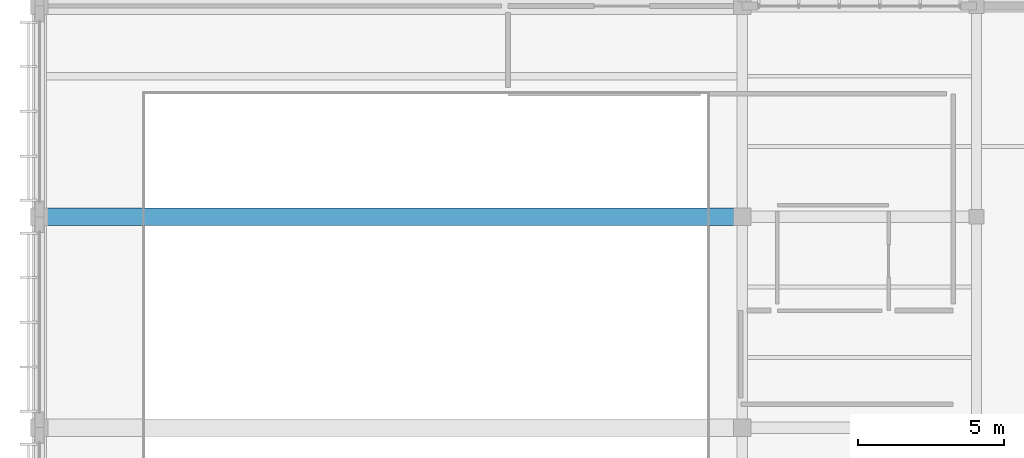
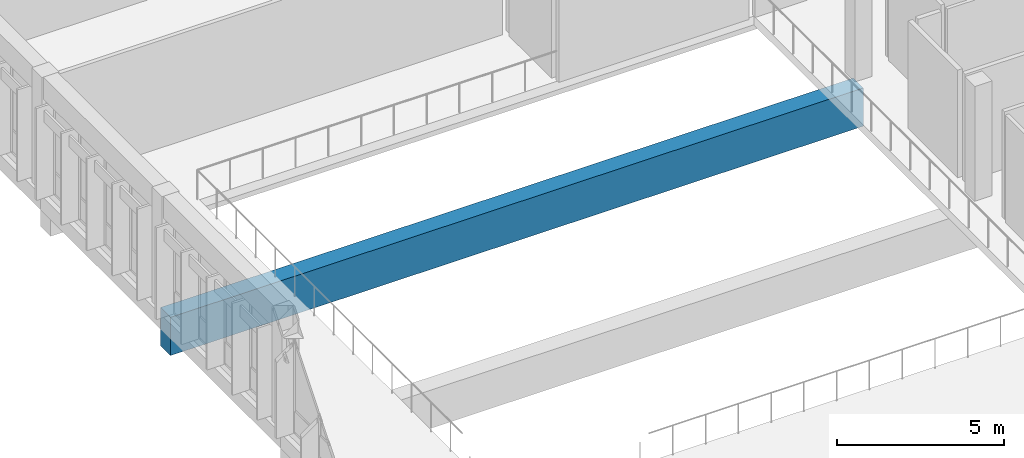
# One storey, part 20 of 182: 1 beam.
"""IFC4 building model written with IfcOpenShell, lengths in metres."""

import ifcopenshell
import ifcopenshell.guid

model = None  # the IFC model being written
_history = None  # IfcOwnerHistory: only IFC2X3 demands one
_inside = {}  # id of a spatial element -> (the spatial element, [elements in it])
_under = {}  # id of a project, library or spatial element -> (it, [spatial elements below it])
_declared = {}  # id of a project -> (the project, [libraries it declares])
_typed = {}  # id of a type object -> (the type object, [elements of that type])
_made_of = {}  # id of a material, layer set ... -> (it, [elements and type objects made of it])


def new_model(schema):
    """Start an empty IFC model of exactly this schema.

    Asked for "IFC4X3", IfcOpenShell would pick the latest addendum, in which some entities
    have other attributes; the version numbers below select the first issue.
    IFC2X3 requires an IfcOwnerHistory on every rooted entity: one is made here for all.
    """
    global model, _history
    if schema == "IFC4X3":
        model = ifcopenshell.file(schema_version=(4, 3, 0, 0))
    else:
        model = ifcopenshell.file(schema=schema)
    _inside.clear()
    _under.clear()
    _declared.clear()
    _typed.clear()
    _made_of.clear()
    _history = None
    if model.schema == "IFC2X3":
        org = make("IfcOrganization", Name="unknown")
        user = make(
            "IfcPersonAndOrganization",
            ThePerson=make("IfcPerson", FamilyName="unknown"),
            TheOrganization=org,
        )
        app = make(
            "IfcApplication",
            ApplicationDeveloper=org,
            Version="unknown",
            ApplicationFullName="unknown",
            ApplicationIdentifier="unknown",
        )
        _history = make(
            "IfcOwnerHistory",
            OwningUser=user,
            OwningApplication=app,
            ChangeAction="ADDED",
            CreationDate=0,
        )
    return model


def make(cls, **values):
    """One entity of the class cls with the attributes given. An attribute that is None is left unset."""
    return model.create_entity(
        cls, **{name: value for name, value in values.items() if value is not None}
    )


def rooted(cls, **values):
    """An entity with a GlobalId (a new one), such as an element, a storey or a relation."""
    return make(cls, GlobalId=ifcopenshell.guid.new(), OwnerHistory=_history, **values)


def si_unit(unit_type, name, prefix=None):
    """IfcSIUnit, for example si_unit("LENGTHUNIT", "METRE", prefix="MILLI")."""
    return make("IfcSIUnit", UnitType=unit_type, Prefix=prefix, Name=name)


def assignment(units):
    """IfcUnitAssignment: the units of a project."""
    return None if units is None else make("IfcUnitAssignment", Units=units)


def point(xyz):
    """IfcCartesianPoint."""
    return None if xyz is None else make("IfcCartesianPoint", Coordinates=xyz)


def direction(xyz):
    """IfcDirection."""
    return None if xyz is None else make("IfcDirection", DirectionRatios=xyz)


def frame(location, z_axis=None, x_axis=None):
    """IfcAxis2Placement3D, a coordinate frame: its origin and axes. An axis left out is left unset."""
    return make(
        "IfcAxis2Placement3D",
        Location=point(location),
        Axis=direction(z_axis),
        RefDirection=direction(x_axis),
    )


def frame_2d(location, x_axis=None):
    """IfcAxis2Placement2D, a coordinate frame in the plane: its origin and x axis."""
    return make(
        "IfcAxis2Placement2D", Location=point(location), RefDirection=direction(x_axis)
    )


def origin():
    """The frame at (0, 0, 0) with its axes left unset."""
    return frame((0.0, 0.0, 0.0))


def origin_2d():
    """The frame at (0, 0) in the plane with its x axis left unset."""
    return frame_2d((0.0, 0.0))


def place(relative_to, where):
    """IfcLocalPlacement: puts the frame where relative to a parent placement (None: the world)."""
    return make(
        "IfcLocalPlacement", PlacementRelTo=relative_to, RelativePlacement=where
    )


def context(
    kind, dimensions, precision=None, world=None, true_north=None, identifier=None
):
    """IfcGeometricRepresentationContext, for example the 3D "Model" context."""
    return make(
        "IfcGeometricRepresentationContext",
        ContextIdentifier=identifier,
        ContextType=kind,
        CoordinateSpaceDimension=dimensions,
        Precision=precision,
        WorldCoordinateSystem=world,
        TrueNorth=true_north,
    )


def subcontext(parent, identifier, kind, view, scale=None):
    """IfcGeometricRepresentationSubContext, for example "Body" below "Model"."""
    return make(
        "IfcGeometricRepresentationSubContext",
        ContextIdentifier=identifier,
        ContextType=kind,
        ParentContext=parent,
        TargetScale=scale,
        TargetView=view,
    )


def project(units=None, contexts=None):
    """IfcProject with its units and contexts."""
    return rooted(
        "IfcProject",
        Name="project",
        RepresentationContexts=contexts,
        UnitsInContext=assignment(units),
    )


def spatial(cls, under=None, at=None, **own):
    """A site, building, storey or space (cls), placed at a placement, below another one or the project."""
    s = rooted(cls, ObjectPlacement=at, **own)
    if under is not None:
        _under.setdefault(under.id(), (under, []))[1].append(s)
    return s


def profile(cls, at=None, kind="AREA", **sizes):
    """A parametric profile (cls). Its sizes go by their IFC names, for example OverallWidth=200.0."""
    return make(cls, ProfileType=kind, Position=at, **sizes)


def rectangle(**sizes):
    """IfcRectangleProfileDef."""
    return profile("IfcRectangleProfileDef", **sizes)


def extrude(swept, where, along, depth):
    """IfcExtrudedAreaSolid: the profile swept, set in the frame where, extruded along a direction by depth."""
    return make(
        "IfcExtrudedAreaSolid",
        SweptArea=swept,
        Position=where,
        ExtrudedDirection=direction(along),
        Depth=depth,
    )


def shape(context_of_items, identifier, shape_type, items):
    """IfcShapeRepresentation: the items that make up one representation, for example the "Body"."""
    return make(
        "IfcShapeRepresentation",
        ContextOfItems=context_of_items,
        RepresentationIdentifier=identifier,
        RepresentationType=shape_type,
        Items=items,
    )


def material(Name=None, Category=None):
    """IfcMaterial."""
    return make("IfcMaterial", Name=Name, Category=Category)


def material_profile(
    of_material, cross_section, Name=None, Category=None, Priority=None
):
    """IfcMaterialProfile: a cross section and its material."""
    return make(
        "IfcMaterialProfile",
        Name=Name,
        Material=of_material,
        Profile=cross_section,
        Priority=Priority,
        Category=Category,
    )


def profile_set(profiles, Name=None, composite=None):
    """IfcMaterialProfileSet."""
    return make(
        "IfcMaterialProfileSet",
        Name=Name,
        MaterialProfiles=profiles,
        CompositeProfile=composite,
    )


def made_of(thing, what):
    """Note that an element or type object is made of a material, layer set ...; save() writes the relation."""
    if what is not None:
        _made_of.setdefault(what.id(), (what, []))[1].append(thing)
    return thing


def type_object(cls, material=None, **own):
    """A type object (cls), such as IfcWallType, which elements share."""
    return made_of(rooted(cls, **own), material)


def element(
    cls,
    number,
    at=None,
    inside=None,
    cuts=None,
    type_object=None,
    material=None,
    context=None,
    identifier="Body",
    shape_type=None,
    held_by="IfcProductDefinitionShape",
    body=None,
    shapes=None,
    **own,
):
    """One element of the class cls, such as IfcWall. Its Tag is "e" and its number.

    at: its placement. inside: the storey or other place that contains it. cuts: it is an
    opening in that element (IfcRelVoidsElement). A single representation is given by context,
    identifier, shape_type and body (its items); several are given by shapes. held_by: the class
    of the entity that holds the representations. save() writes the other relations.
    """
    e = rooted(cls, Tag="e%d" % number, ObjectPlacement=at, **own)
    if body is not None:
        shapes = [shape(context, identifier, shape_type, body)]
    if shapes is not None:
        e.Representation = make(held_by, Representations=shapes)
    if inside is not None:
        _inside.setdefault(inside.id(), (inside, []))[1].append(e)
    if cuts is not None:
        rooted(
            "IfcRelVoidsElement", RelatingBuildingElement=cuts, RelatedOpeningElement=e
        )
    if type_object is not None:
        _typed.setdefault(type_object.id(), (type_object, []))[1].append(e)
    return made_of(e, material)


def aggregate(whole, parts):
    """IfcRelAggregates: a whole, such as a stair, and the parts it consists of."""
    return rooted("IfcRelAggregates", RelatingObject=whole, RelatedObjects=parts)


def save(model, path):
    """Write the relations noted so far, then the file.

    IfcRelAggregates (storeys below a building ...), IfcRelContainedInSpatialStructure (elements
    in a storey), IfcRelDefinesByType, IfcRelAssociatesMaterial and IfcRelDeclares: one each for
    every whole, place, type object, material and project.
    """
    for whole, parts in _under.values():
        aggregate(whole, parts)
    for where, things in _inside.values():
        rooted(
            "IfcRelContainedInSpatialStructure",
            RelatedElements=things,
            RelatingStructure=where,
        )
    for kind, things in _typed.values():
        rooted("IfcRelDefinesByType", RelatedObjects=things, RelatingType=kind)
    for what, things in _made_of.values():
        rooted("IfcRelAssociatesMaterial", RelatedObjects=things, RelatingMaterial=what)
    for by, libraries in _declared.values():
        rooted("IfcRelDeclares", RelatingContext=by, RelatedDefinitions=libraries)
    model.write(path)


model = new_model("IFC4")

# Units and contexts
model_context = context("Model", 3, precision=1e-05, world=origin(), true_north=direction((0.0, 1.0)))
body_context = subcontext(model_context, "Body", "Model", "MODEL_VIEW")
ifc_project = project(units=[si_unit("LENGTHUNIT", "METRE"), si_unit("AREAUNIT", "SQUARE_METRE"), si_unit("VOLUMEUNIT", "CUBIC_METRE"), si_unit("PLANEANGLEUNIT", "RADIAN"), si_unit("MASSUNIT", "GRAM", prefix="KILO")], contexts=[model_context])

# Site, building, storey
site_placement = place(None, origin())
site = spatial("IfcSite", under=ifc_project, at=site_placement, CompositionType="ELEMENT")
building_placement = place(site_placement, origin())
building = spatial("IfcBuilding", under=site, at=building_placement, Name="Chiffa Square Polytechnic", CompositionType="ELEMENT")
storey_placement = place(building_placement, frame((0.0, 0.0, 9.60009765625)))
storey = spatial("IfcBuildingStorey", under=building, at=storey_placement, Name="L02", CompositionType="ELEMENT", Elevation=9.60009765625)

# Beam
ifc_material = material(Name="Concrete C40/50", Category="concrete")
ifc_material_profile = material_profile(ifc_material, rectangle(XDim=0.60009765625, YDim=1.39990234375, at=origin_2d()), Name="RC 600x1400")
ifc_profile_set = profile_set([ifc_material_profile], Name="Concrete C40/50")
beam_type = type_object("IfcBeamType", Name="BM-RC-600X1400", PredefinedType="BEAM", material=ifc_profile_set)
beam_placement = place(storey_placement, frame((0.0, 21.60009765625, -1.02001953125), z_axis=(1.0, 0.0, 0.0), x_axis=(0.0, 1.0, 0.0)))
element("IfcBeam", 1, at=beam_placement, inside=storey, type_object=beam_type, Name="Primary floor girder BM-V3-L02-X-0000-0216", PredefinedType="BEAM", context=body_context, shape_type="SweptSolid", body=[
    extrude(rectangle(XDim=0.60009765625, YDim=1.39990234375, at=origin_2d()), origin(), (0.0, 0.0, 1.0), 24.0),
])

save(model, "model.ifc")
